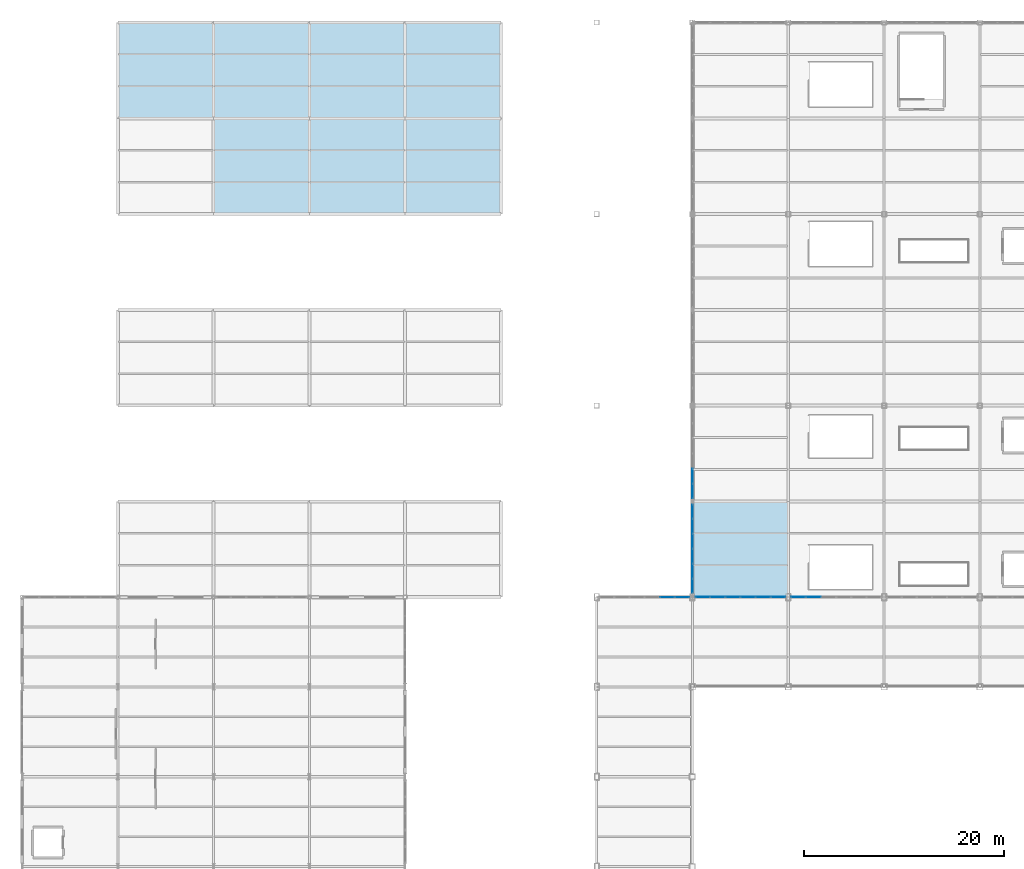
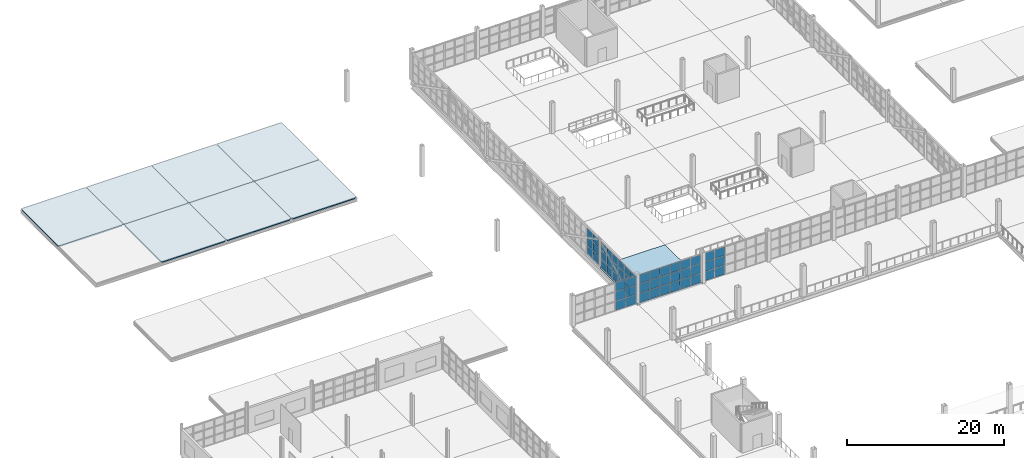
# One storey, part 82 of 120: 54 plates, 8 slabs, 5 elements without a shape of their own.
"""IFC4 building model written with IfcOpenShell, lengths in metres."""

from ifc_helpers import new_model, si_unit, direction, frame, origin, origin_2d, place, context, subcontext, project, spatial, polyline, rectangle, outline, extrude, material, layer, layer_set, type_object, element, aggregate, save


model = new_model("IFC4")

# Units and contexts
model_context = context("Model", 3, precision=1e-05, world=origin(), true_north=direction((0.0, 1.0)))
body_context = subcontext(model_context, "Body", "Model", "MODEL_VIEW")
ifc_project = project(units=[si_unit("LENGTHUNIT", "METRE"), si_unit("AREAUNIT", "SQUARE_METRE"), si_unit("VOLUMEUNIT", "CUBIC_METRE"), si_unit("PLANEANGLEUNIT", "RADIAN"), si_unit("MASSUNIT", "GRAM", prefix="KILO")], contexts=[model_context])

# Site, building, storey
site_placement = place(None, origin())
site = spatial("IfcSite", under=ifc_project, at=site_placement, CompositionType="ELEMENT")
building_placement = place(site_placement, origin())
building = spatial("IfcBuilding", under=site, at=building_placement, Name="Zarnetskaya Central Station", CompositionType="ELEMENT")
storey_placement = place(building_placement, frame((0.0, 0.0, 5.39990234375)))
storey = spatial("IfcBuildingStorey", under=building, at=storey_placement, Name="L01", CompositionType="ELEMENT", Elevation=5.39990234375)

# Curtain wall, plates
ifc_material_1 = material(Name="Low-E insulated glass", Category="glass")
ifc_layer_1 = layer(ifc_material_1, 0.159912109375, Name="Low-E insulated glass", Category="glass")
ifc_layer_set_1 = layer_set([ifc_layer_1], Name="Low-E insulated glass")
curtain_wall_type_1 = type_object("IfcCurtainWallType", Name="CW-SYS-11", PredefinedType="USERDEFINED", material=ifc_layer_set_1)
curtain_wall_1_placement = place(storey_placement, origin())
curtain_wall_1 = element("IfcCurtainWall", 1, at=curtain_wall_1_placement, inside=storey, type_object=curtain_wall_type_1, Name="Curtain wall CW-L01-075", ObjectType="CURTAIN WALL", PredefinedType="USERDEFINED")
ifc_layer_2 = layer(ifc_material_1, 0.028076171875, Name="Low-E insulated glass", Category="glass")
ifc_layer_set_2 = layer_set([ifc_layer_2], Name="Low-E insulated glass")
plate_type_1 = type_object("IfcPlateType", Name="CW-PAN-28", PredefinedType="CURTAIN_PANEL", material=ifc_layer_set_2)
plate_1_placement = place(storey_placement, frame((64.675048828125, 67.199951171875, 0.0703125), z_axis=(0.0, 0.0, 1.0), x_axis=(1.0, 0.0, 0.0)))
plate_1 = element("IfcPlate", 2, at=plate_1_placement, type_object=plate_type_1, Name="CW-09 panel 5.1", PredefinedType="CURTAIN_PANEL", context=body_context, shape_type="SweptSolid", body=[
    extrude(rectangle(XDim=1.44677734375, YDim=0.028076171875, at=origin_2d()), origin(), (0.0, 0.0, 1.0), 1.407958984375),
])
plate_2_placement = place(storey_placement, frame((64.675048828125, 67.199951171875, 1.5478515625), z_axis=(0.0, 0.0, 1.0), x_axis=(1.0, 0.0, 0.0)))
plate_2 = element("IfcPlate", 3, at=plate_2_placement, type_object=plate_type_1, Name="CW-09 panel 5.2", PredefinedType="CURTAIN_PANEL", context=body_context, shape_type="SweptSolid", body=[
    extrude(rectangle(XDim=1.44677734375, YDim=0.028076171875, at=origin_2d()), origin(), (0.0, 0.0, 1.0), 1.443115234375),
])
plate_3_placement = place(storey_placement, frame((64.675048828125, 67.199951171875, 3.06103515625), z_axis=(0.0, 0.0, 1.0), x_axis=(1.0, 0.0, 0.0)))
plate_3 = element("IfcPlate", 4, at=plate_3_placement, type_object=plate_type_1, Name="CW-09 panel 5.3", PredefinedType="CURTAIN_PANEL", context=body_context, shape_type="SweptSolid", body=[
    extrude(rectangle(XDim=1.44677734375, YDim=0.028076171875, at=origin_2d()), origin(), (0.0, 0.0, 1.0), 1.319091796875),
])
plate_4_placement = place(storey_placement, frame((66.174072265625, 67.199951171875, 0.0703125), z_axis=(0.0, 0.0, 1.0), x_axis=(1.0, 0.0, 0.0)))
plate_4 = element("IfcPlate", 5, at=plate_4_placement, type_object=plate_type_1, Name="CW-09 panel 6.1", PredefinedType="CURTAIN_PANEL", context=body_context, shape_type="SweptSolid", body=[
    extrude(rectangle(XDim=1.41162109375, YDim=0.028076171875, at=origin_2d()), origin(), (0.0, 0.0, 1.0), 1.407958984375),
])
plate_5_placement = place(storey_placement, frame((66.174072265625, 67.199951171875, 1.5478515625), z_axis=(0.0, 0.0, 1.0), x_axis=(1.0, 0.0, 0.0)))
plate_5 = element("IfcPlate", 6, at=plate_5_placement, type_object=plate_type_1, Name="CW-09 panel 6.2", PredefinedType="CURTAIN_PANEL", context=body_context, shape_type="SweptSolid", body=[
    extrude(rectangle(XDim=1.41162109375, YDim=0.028076171875, at=origin_2d()), origin(), (0.0, 0.0, 1.0), 1.443115234375),
])
plate_6_placement = place(storey_placement, frame((66.174072265625, 67.199951171875, 3.06103515625), z_axis=(0.0, 0.0, 1.0), x_axis=(1.0, 0.0, 0.0)))
plate_6 = element("IfcPlate", 7, at=plate_6_placement, type_object=plate_type_1, Name="CW-09 panel 6.3", PredefinedType="CURTAIN_PANEL", context=body_context, shape_type="SweptSolid", body=[
    extrude(rectangle(XDim=1.41162109375, YDim=0.028076171875, at=origin_2d()), origin(), (0.0, 0.0, 1.0), 1.319091796875),
])
aggregate(curtain_wall_1, [plate_1, plate_2, plate_3, plate_4, plate_5, plate_6])

ifc_layer_3 = layer(ifc_material_1, 0.172119140625, Name="Low-E insulated glass", Category="glass")
ifc_layer_set_3 = layer_set([ifc_layer_3], Name="Low-E insulated glass")
curtain_wall_type_2 = type_object("IfcCurtainWallType", Name="CW-SYS-09", PredefinedType="USERDEFINED", material=ifc_layer_set_3)
curtain_wall_2_placement = place(storey_placement, origin())
curtain_wall_2 = element("IfcCurtainWall", 8, at=curtain_wall_2_placement, inside=storey, type_object=curtain_wall_type_2, Name="Curtain wall CW-L01-146", ObjectType="CURTAIN WALL", PredefinedType="USERDEFINED")
ifc_layer_4 = layer(ifc_material_1, 0.031982421875, Name="Low-E insulated glass", Category="glass")
ifc_layer_set_4 = layer_set([ifc_layer_4], Name="Low-E insulated glass")
plate_type_2 = type_object("IfcPlateType", Name="CW-PAN-32", PredefinedType="CURTAIN_PANEL", material=ifc_layer_set_4)
plate_7_placement = place(storey_placement, frame((67.199951171875, 68.320068359375, 0.080078125), z_axis=(0.0, 0.0, 1.0), x_axis=(0.0, 1.0, 0.0)))
plate_7 = element("IfcPlate", 9, at=plate_7_placement, type_object=plate_type_2, Name="CW-07 panel 1.1", PredefinedType="CURTAIN_PANEL", context=body_context, shape_type="SweptSolid", body=[
    extrude(rectangle(XDim=1.3798828125, YDim=0.031982421875, at=origin_2d()), origin(), (0.0, 0.0, 1.0), 1.27392578125),
])
plate_8_placement = place(storey_placement, frame((67.199951171875, 68.320068359375, 1.43408203125), z_axis=(0.0, 0.0, 1.0), x_axis=(0.0, 1.0, 0.0)))
plate_8 = element("IfcPlate", 10, at=plate_8_placement, type_object=plate_type_2, Name="CW-07 panel 1.2", PredefinedType="CURTAIN_PANEL", context=body_context, shape_type="SweptSolid", body=[
    extrude(rectangle(XDim=1.3798828125, YDim=0.031982421875, at=origin_2d()), origin(), (0.0, 0.0, 1.0), 1.31396484375),
])
plate_9_placement = place(storey_placement, frame((67.199951171875, 68.320068359375, 2.828125), z_axis=(0.0, 0.0, 1.0), x_axis=(0.0, 1.0, 0.0)))
plate_9 = element("IfcPlate", 11, at=plate_9_placement, type_object=plate_type_2, Name="CW-07 panel 1.3", PredefinedType="CURTAIN_PANEL", context=body_context, shape_type="SweptSolid", body=[
    extrude(rectangle(XDim=1.3798828125, YDim=0.031982421875, at=origin_2d()), origin(), (0.0, 0.0, 1.0), 1.19189453125),
])
plate_10_placement = place(storey_placement, frame((67.199951171875, 69.800048828125, 0.080078125), z_axis=(0.0, 0.0, 1.0), x_axis=(0.0, 1.0, 0.0)))
plate_10 = element("IfcPlate", 12, at=plate_10_placement, type_object=plate_type_2, Name="CW-07 panel 2.1", PredefinedType="CURTAIN_PANEL", context=body_context, shape_type="SweptSolid", body=[
    extrude(rectangle(XDim=1.419921875, YDim=0.031982421875, at=origin_2d()), origin(), (0.0, 0.0, 1.0), 1.27392578125),
])
plate_11_placement = place(storey_placement, frame((67.199951171875, 69.800048828125, 1.43408203125), z_axis=(0.0, 0.0, 1.0), x_axis=(0.0, 1.0, 0.0)))
plate_11 = element("IfcPlate", 13, at=plate_11_placement, type_object=plate_type_2, Name="CW-07 panel 2.2", PredefinedType="CURTAIN_PANEL", context=body_context, shape_type="SweptSolid", body=[
    extrude(rectangle(XDim=1.419921875, YDim=0.031982421875, at=origin_2d()), origin(), (0.0, 0.0, 1.0), 1.31396484375),
])
plate_12_placement = place(storey_placement, frame((67.199951171875, 69.800048828125, 2.828125), z_axis=(0.0, 0.0, 1.0), x_axis=(0.0, 1.0, 0.0)))
plate_12 = element("IfcPlate", 14, at=plate_12_placement, type_object=plate_type_2, Name="CW-07 panel 2.3", PredefinedType="CURTAIN_PANEL", context=body_context, shape_type="SweptSolid", body=[
    extrude(rectangle(XDim=1.419921875, YDim=0.031982421875, at=origin_2d()), origin(), (0.0, 0.0, 1.0), 1.19189453125),
])
plate_13_placement = place(storey_placement, frame((67.199951171875, 71.300048828125, 0.080078125), z_axis=(0.0, 0.0, 1.0), x_axis=(0.0, 1.0, 0.0)))
plate_13 = element("IfcPlate", 15, at=plate_13_placement, type_object=plate_type_2, Name="CW-07 panel 3.1", PredefinedType="CURTAIN_PANEL", context=body_context, shape_type="SweptSolid", body=[
    extrude(rectangle(XDim=1.419921875, YDim=0.031982421875, at=origin_2d()), origin(), (0.0, 0.0, 1.0), 1.27392578125),
])
plate_14_placement = place(storey_placement, frame((67.199951171875, 71.300048828125, 1.43408203125), z_axis=(0.0, 0.0, 1.0), x_axis=(0.0, 1.0, 0.0)))
plate_14 = element("IfcPlate", 16, at=plate_14_placement, type_object=plate_type_2, Name="CW-07 panel 3.2", PredefinedType="CURTAIN_PANEL", context=body_context, shape_type="SweptSolid", body=[
    extrude(rectangle(XDim=1.419921875, YDim=0.031982421875, at=origin_2d()), origin(), (0.0, 0.0, 1.0), 1.31396484375),
])
plate_15_placement = place(storey_placement, frame((67.199951171875, 71.300048828125, 2.828125), z_axis=(0.0, 0.0, 1.0), x_axis=(0.0, 1.0, 0.0)))
plate_15 = element("IfcPlate", 17, at=plate_15_placement, type_object=plate_type_2, Name="CW-07 panel 3.3", PredefinedType="CURTAIN_PANEL", context=body_context, shape_type="SweptSolid", body=[
    extrude(rectangle(XDim=1.419921875, YDim=0.031982421875, at=origin_2d()), origin(), (0.0, 0.0, 1.0), 1.19189453125),
])
plate_16_placement = place(storey_placement, frame((67.199951171875, 72.800048828125, 0.080078125), z_axis=(0.0, 0.0, 1.0), x_axis=(0.0, 1.0, 0.0)))
plate_16 = element("IfcPlate", 18, at=plate_16_placement, type_object=plate_type_2, Name="CW-07 panel 4.1", PredefinedType="CURTAIN_PANEL", context=body_context, shape_type="SweptSolid", body=[
    extrude(rectangle(XDim=1.419921875, YDim=0.031982421875, at=origin_2d()), origin(), (0.0, 0.0, 1.0), 1.27392578125),
])
plate_17_placement = place(storey_placement, frame((67.199951171875, 72.800048828125, 1.43408203125), z_axis=(0.0, 0.0, 1.0), x_axis=(0.0, 1.0, 0.0)))
plate_17 = element("IfcPlate", 19, at=plate_17_placement, type_object=plate_type_2, Name="CW-07 panel 4.2", PredefinedType="CURTAIN_PANEL", context=body_context, shape_type="SweptSolid", body=[
    extrude(rectangle(XDim=1.419921875, YDim=0.031982421875, at=origin_2d()), origin(), (0.0, 0.0, 1.0), 1.31396484375),
])
plate_18_placement = place(storey_placement, frame((67.199951171875, 72.800048828125, 2.828125), z_axis=(0.0, 0.0, 1.0), x_axis=(0.0, 1.0, 0.0)))
plate_18 = element("IfcPlate", 20, at=plate_18_placement, type_object=plate_type_2, Name="CW-07 panel 4.3", PredefinedType="CURTAIN_PANEL", context=body_context, shape_type="SweptSolid", body=[
    extrude(rectangle(XDim=1.419921875, YDim=0.031982421875, at=origin_2d()), origin(), (0.0, 0.0, 1.0), 1.19189453125),
])
plate_19_placement = place(storey_placement, frame((67.199951171875, 74.300048828125, 0.080078125), z_axis=(0.0, 0.0, 1.0), x_axis=(0.0, 1.0, 0.0)))
plate_19 = element("IfcPlate", 21, at=plate_19_placement, type_object=plate_type_2, Name="CW-07 panel 5.1", PredefinedType="CURTAIN_PANEL", context=body_context, shape_type="SweptSolid", body=[
    extrude(rectangle(XDim=1.419921875, YDim=0.031982421875, at=origin_2d()), origin(), (0.0, 0.0, 1.0), 1.27392578125),
])
plate_20_placement = place(storey_placement, frame((67.199951171875, 74.300048828125, 1.43408203125), z_axis=(0.0, 0.0, 1.0), x_axis=(0.0, 1.0, 0.0)))
plate_20 = element("IfcPlate", 22, at=plate_20_placement, type_object=plate_type_2, Name="CW-07 panel 5.2", PredefinedType="CURTAIN_PANEL", context=body_context, shape_type="SweptSolid", body=[
    extrude(rectangle(XDim=1.419921875, YDim=0.031982421875, at=origin_2d()), origin(), (0.0, 0.0, 1.0), 1.31396484375),
])
plate_21_placement = place(storey_placement, frame((67.199951171875, 74.300048828125, 2.828125), z_axis=(0.0, 0.0, 1.0), x_axis=(0.0, 1.0, 0.0)))
plate_21 = element("IfcPlate", 23, at=plate_21_placement, type_object=plate_type_2, Name="CW-07 panel 5.3", PredefinedType="CURTAIN_PANEL", context=body_context, shape_type="SweptSolid", body=[
    extrude(rectangle(XDim=1.419921875, YDim=0.031982421875, at=origin_2d()), origin(), (0.0, 0.0, 1.0), 1.19189453125),
])
plate_22_placement = place(storey_placement, frame((67.199951171875, 75.780029296875, 0.080078125), z_axis=(0.0, 0.0, 1.0), x_axis=(0.0, 1.0, 0.0)))
plate_22 = element("IfcPlate", 24, at=plate_22_placement, type_object=plate_type_2, Name="CW-07 panel 6.1", PredefinedType="CURTAIN_PANEL", context=body_context, shape_type="SweptSolid", body=[
    extrude(rectangle(XDim=1.3798828125, YDim=0.031982421875, at=origin_2d()), origin(), (0.0, 0.0, 1.0), 1.27392578125),
])
plate_23_placement = place(storey_placement, frame((67.199951171875, 75.780029296875, 1.43408203125), z_axis=(0.0, 0.0, 1.0), x_axis=(0.0, 1.0, 0.0)))
plate_23 = element("IfcPlate", 25, at=plate_23_placement, type_object=plate_type_2, Name="CW-07 panel 6.2", PredefinedType="CURTAIN_PANEL", context=body_context, shape_type="SweptSolid", body=[
    extrude(rectangle(XDim=1.3798828125, YDim=0.031982421875, at=origin_2d()), origin(), (0.0, 0.0, 1.0), 1.31396484375),
])
plate_24_placement = place(storey_placement, frame((67.199951171875, 75.780029296875, 2.828125), z_axis=(0.0, 0.0, 1.0), x_axis=(0.0, 1.0, 0.0)))
plate_24 = element("IfcPlate", 26, at=plate_24_placement, type_object=plate_type_2, Name="CW-07 panel 6.3", PredefinedType="CURTAIN_PANEL", context=body_context, shape_type="SweptSolid", body=[
    extrude(rectangle(XDim=1.3798828125, YDim=0.031982421875, at=origin_2d()), origin(), (0.0, 0.0, 1.0), 1.19189453125),
])
aggregate(curtain_wall_2, [plate_7, plate_8, plate_9, plate_10, plate_11, plate_12, plate_13, plate_14, plate_15, plate_16, plate_17, plate_18, plate_19, plate_20, plate_21, plate_22, plate_23, plate_24])

ifc_layer_5 = layer(ifc_material_1, 0.1640625, Name="Low-E insulated glass", Category="glass")
ifc_layer_set_5 = layer_set([ifc_layer_5], Name="Low-E insulated glass")
curtain_wall_type_3 = type_object("IfcCurtainWallType", Name="CW-SYS-12", PredefinedType="USERDEFINED", material=ifc_layer_set_5)
curtain_wall_3_placement = place(storey_placement, origin())
curtain_wall_3 = element("IfcCurtainWall", 27, at=curtain_wall_3_placement, inside=storey, type_object=curtain_wall_type_3, Name="Curtain wall CW-L01-077", ObjectType="CURTAIN WALL", PredefinedType="USERDEFINED")
ifc_layer_6 = layer(ifc_material_1, 0.035888671875, Name="Low-E insulated glass", Category="glass")
ifc_layer_set_6 = layer_set([ifc_layer_6], Name="Low-E insulated glass")
plate_type_3 = type_object("IfcPlateType", Name="CW-PAN-36", PredefinedType="CURTAIN_PANEL", material=ifc_layer_set_6)
plate_25_placement = place(storey_placement, frame((68.225830078125, 67.199951171875, 0.0703125), z_axis=(0.0, 0.0, 1.0), x_axis=(1.0, 0.0, 0.0)))
plate_25 = element("IfcPlate", 28, at=plate_25_placement, type_object=plate_type_3, Name="CW-18 panel 1.1", PredefinedType="CURTAIN_PANEL", context=body_context, shape_type="SweptSolid", body=[
    extrude(rectangle(XDim=1.41162109375, YDim=0.035888671875, at=origin_2d()), origin(), (0.0, 0.0, 1.0), 1.407958984375),
])
plate_26_placement = place(storey_placement, frame((68.225830078125, 67.199951171875, 1.5478515625), z_axis=(0.0, 0.0, 1.0), x_axis=(1.0, 0.0, 0.0)))
plate_26 = element("IfcPlate", 29, at=plate_26_placement, type_object=plate_type_3, Name="CW-18 panel 1.2", PredefinedType="CURTAIN_PANEL", context=body_context, shape_type="SweptSolid", body=[
    extrude(rectangle(XDim=1.41162109375, YDim=0.035888671875, at=origin_2d()), origin(), (0.0, 0.0, 1.0), 1.443115234375),
])
plate_27_placement = place(storey_placement, frame((68.225830078125, 67.199951171875, 3.06103515625), z_axis=(0.0, 0.0, 1.0), x_axis=(1.0, 0.0, 0.0)))
plate_27 = element("IfcPlate", 30, at=plate_27_placement, type_object=plate_type_3, Name="CW-18 panel 1.3", PredefinedType="CURTAIN_PANEL", context=body_context, shape_type="SweptSolid", body=[
    extrude(rectangle(XDim=1.41162109375, YDim=0.035888671875, at=origin_2d()), origin(), (0.0, 0.0, 1.0), 1.319091796875),
])
plate_28_placement = place(storey_placement, frame((69.72509765625, 67.199951171875, 0.0703125), z_axis=(0.0, 0.0, 1.0), x_axis=(1.0, 0.0, 0.0)))
plate_28 = element("IfcPlate", 31, at=plate_28_placement, type_object=plate_type_3, Name="CW-18 panel 2.1", PredefinedType="CURTAIN_PANEL", context=body_context, shape_type="SweptSolid", body=[
    extrude(rectangle(XDim=1.44677734375, YDim=0.035888671875, at=origin_2d()), origin(), (0.0, 0.0, 1.0), 1.407958984375),
])
plate_29_placement = place(storey_placement, frame((69.72509765625, 67.199951171875, 1.5478515625), z_axis=(0.0, 0.0, 1.0), x_axis=(1.0, 0.0, 0.0)))
plate_29 = element("IfcPlate", 32, at=plate_29_placement, type_object=plate_type_3, Name="CW-18 panel 2.2", PredefinedType="CURTAIN_PANEL", context=body_context, shape_type="SweptSolid", body=[
    extrude(rectangle(XDim=1.44677734375, YDim=0.035888671875, at=origin_2d()), origin(), (0.0, 0.0, 1.0), 1.443115234375),
])
plate_30_placement = place(storey_placement, frame((69.72509765625, 67.199951171875, 3.06103515625), z_axis=(0.0, 0.0, 1.0), x_axis=(1.0, 0.0, 0.0)))
plate_30 = element("IfcPlate", 33, at=plate_30_placement, type_object=plate_type_3, Name="CW-18 panel 2.3", PredefinedType="CURTAIN_PANEL", context=body_context, shape_type="SweptSolid", body=[
    extrude(rectangle(XDim=1.44677734375, YDim=0.035888671875, at=origin_2d()), origin(), (0.0, 0.0, 1.0), 1.319091796875),
])
plate_31_placement = place(storey_placement, frame((71.24169921875, 67.199951171875, 0.0703125), z_axis=(0.0, 0.0, 1.0), x_axis=(1.0, 0.0, 0.0)))
plate_31 = element("IfcPlate", 34, at=plate_31_placement, type_object=plate_type_3, Name="CW-18 panel 3.1", PredefinedType="CURTAIN_PANEL", context=body_context, shape_type="SweptSolid", body=[
    extrude(rectangle(XDim=1.44677734375, YDim=0.035888671875, at=origin_2d()), origin(), (0.0, 0.0, 1.0), 1.407958984375),
])
plate_32_placement = place(storey_placement, frame((71.24169921875, 67.199951171875, 1.5478515625), z_axis=(0.0, 0.0, 1.0), x_axis=(1.0, 0.0, 0.0)))
plate_32 = element("IfcPlate", 35, at=plate_32_placement, type_object=plate_type_3, Name="CW-18 panel 3.2", PredefinedType="CURTAIN_PANEL", context=body_context, shape_type="SweptSolid", body=[
    extrude(rectangle(XDim=1.44677734375, YDim=0.035888671875, at=origin_2d()), origin(), (0.0, 0.0, 1.0), 1.443115234375),
])
plate_33_placement = place(storey_placement, frame((71.24169921875, 67.199951171875, 3.06103515625), z_axis=(0.0, 0.0, 1.0), x_axis=(1.0, 0.0, 0.0)))
plate_33 = element("IfcPlate", 36, at=plate_33_placement, type_object=plate_type_3, Name="CW-18 panel 3.3", PredefinedType="CURTAIN_PANEL", context=body_context, shape_type="SweptSolid", body=[
    extrude(rectangle(XDim=1.44677734375, YDim=0.035888671875, at=origin_2d()), origin(), (0.0, 0.0, 1.0), 1.319091796875),
])
plate_34_placement = place(storey_placement, frame((72.75830078125, 67.199951171875, 0.0703125), z_axis=(0.0, 0.0, 1.0), x_axis=(1.0, 0.0, 0.0)))
plate_34 = element("IfcPlate", 37, at=plate_34_placement, type_object=plate_type_3, Name="CW-18 panel 4.1", PredefinedType="CURTAIN_PANEL", context=body_context, shape_type="SweptSolid", body=[
    extrude(rectangle(XDim=1.44677734375, YDim=0.035888671875, at=origin_2d()), origin(), (0.0, 0.0, 1.0), 1.407958984375),
])
plate_35_placement = place(storey_placement, frame((72.75830078125, 67.199951171875, 1.5478515625), z_axis=(0.0, 0.0, 1.0), x_axis=(1.0, 0.0, 0.0)))
plate_35 = element("IfcPlate", 38, at=plate_35_placement, type_object=plate_type_3, Name="CW-18 panel 4.2", PredefinedType="CURTAIN_PANEL", context=body_context, shape_type="SweptSolid", body=[
    extrude(rectangle(XDim=1.44677734375, YDim=0.035888671875, at=origin_2d()), origin(), (0.0, 0.0, 1.0), 1.443115234375),
])
plate_36_placement = place(storey_placement, frame((72.75830078125, 67.199951171875, 3.06103515625), z_axis=(0.0, 0.0, 1.0), x_axis=(1.0, 0.0, 0.0)))
plate_36 = element("IfcPlate", 39, at=plate_36_placement, type_object=plate_type_3, Name="CW-18 panel 4.3", PredefinedType="CURTAIN_PANEL", context=body_context, shape_type="SweptSolid", body=[
    extrude(rectangle(XDim=1.44677734375, YDim=0.035888671875, at=origin_2d()), origin(), (0.0, 0.0, 1.0), 1.319091796875),
])
plate_37_placement = place(storey_placement, frame((74.27490234375, 67.199951171875, 0.0703125), z_axis=(0.0, 0.0, 1.0), x_axis=(1.0, 0.0, 0.0)))
plate_37 = element("IfcPlate", 40, at=plate_37_placement, type_object=plate_type_3, Name="CW-18 panel 5.1", PredefinedType="CURTAIN_PANEL", context=body_context, shape_type="SweptSolid", body=[
    extrude(rectangle(XDim=1.44677734375, YDim=0.035888671875, at=origin_2d()), origin(), (0.0, 0.0, 1.0), 1.407958984375),
])
plate_38_placement = place(storey_placement, frame((74.27490234375, 67.199951171875, 1.5478515625), z_axis=(0.0, 0.0, 1.0), x_axis=(1.0, 0.0, 0.0)))
plate_38 = element("IfcPlate", 41, at=plate_38_placement, type_object=plate_type_3, Name="CW-18 panel 5.2", PredefinedType="CURTAIN_PANEL", context=body_context, shape_type="SweptSolid", body=[
    extrude(rectangle(XDim=1.44677734375, YDim=0.035888671875, at=origin_2d()), origin(), (0.0, 0.0, 1.0), 1.443115234375),
])
plate_39_placement = place(storey_placement, frame((74.27490234375, 67.199951171875, 3.06103515625), z_axis=(0.0, 0.0, 1.0), x_axis=(1.0, 0.0, 0.0)))
plate_39 = element("IfcPlate", 42, at=plate_39_placement, type_object=plate_type_3, Name="CW-18 panel 5.3", PredefinedType="CURTAIN_PANEL", context=body_context, shape_type="SweptSolid", body=[
    extrude(rectangle(XDim=1.44677734375, YDim=0.035888671875, at=origin_2d()), origin(), (0.0, 0.0, 1.0), 1.319091796875),
])
plate_40_placement = place(storey_placement, frame((75.774169921875, 67.199951171875, 0.0703125), z_axis=(0.0, 0.0, 1.0), x_axis=(1.0, 0.0, 0.0)))
plate_40 = element("IfcPlate", 43, at=plate_40_placement, type_object=plate_type_3, Name="CW-18 panel 6.1", PredefinedType="CURTAIN_PANEL", context=body_context, shape_type="SweptSolid", body=[
    extrude(rectangle(XDim=1.41162109375, YDim=0.035888671875, at=origin_2d()), origin(), (0.0, 0.0, 1.0), 1.407958984375),
])
plate_41_placement = place(storey_placement, frame((75.774169921875, 67.199951171875, 1.5478515625), z_axis=(0.0, 0.0, 1.0), x_axis=(1.0, 0.0, 0.0)))
plate_41 = element("IfcPlate", 44, at=plate_41_placement, type_object=plate_type_3, Name="CW-18 panel 6.2", PredefinedType="CURTAIN_PANEL", context=body_context, shape_type="SweptSolid", body=[
    extrude(rectangle(XDim=1.41162109375, YDim=0.035888671875, at=origin_2d()), origin(), (0.0, 0.0, 1.0), 1.443115234375),
])
plate_42_placement = place(storey_placement, frame((75.774169921875, 67.199951171875, 3.06103515625), z_axis=(0.0, 0.0, 1.0), x_axis=(1.0, 0.0, 0.0)))
plate_42 = element("IfcPlate", 45, at=plate_42_placement, type_object=plate_type_3, Name="CW-18 panel 6.3", PredefinedType="CURTAIN_PANEL", context=body_context, shape_type="SweptSolid", body=[
    extrude(rectangle(XDim=1.41162109375, YDim=0.035888671875, at=origin_2d()), origin(), (0.0, 0.0, 1.0), 1.319091796875),
])
aggregate(curtain_wall_3, [plate_25, plate_26, plate_27, plate_28, plate_29, plate_30, plate_31, plate_32, plate_33, plate_34, plate_35, plate_36, plate_37, plate_38, plate_39, plate_40, plate_41, plate_42])

curtain_wall_4_placement = place(storey_placement, origin())
curtain_wall_4 = element("IfcCurtainWall", 46, at=curtain_wall_4_placement, inside=storey, type_object=curtain_wall_type_2, Name="Curtain wall CW-L01-147", ObjectType="CURTAIN WALL", PredefinedType="USERDEFINED")
plate_43_placement = place(storey_placement, frame((67.199951171875, 77.825927734375, 0.070068359375), z_axis=(0.0, 0.0, 1.0), x_axis=(0.0, 1.0, 0.0)))
plate_43 = element("IfcPlate", 47, at=plate_43_placement, type_object=plate_type_3, Name="CW-07 panel 1.1", PredefinedType="CURTAIN_PANEL", context=body_context, shape_type="SweptSolid", body=[
    extrude(rectangle(XDim=1.41162109375, YDim=0.035888671875, at=origin_2d()), origin(), (0.0, 0.0, 1.0), 1.2890625),
])
plate_44_placement = place(storey_placement, frame((67.199951171875, 77.825927734375, 1.42919921875), z_axis=(0.0, 0.0, 1.0), x_axis=(0.0, 1.0, 0.0)))
plate_44 = element("IfcPlate", 48, at=plate_44_placement, type_object=plate_type_3, Name="CW-07 panel 1.2", PredefinedType="CURTAIN_PANEL", context=body_context, shape_type="SweptSolid", body=[
    extrude(rectangle(XDim=1.41162109375, YDim=0.035888671875, at=origin_2d()), origin(), (0.0, 0.0, 1.0), 1.323974609375),
])
plate_45_placement = place(storey_placement, frame((67.199951171875, 77.825927734375, 2.822998046875), z_axis=(0.0, 0.0, 1.0), x_axis=(0.0, 1.0, 0.0)))
plate_45 = element("IfcPlate", 49, at=plate_45_placement, type_object=plate_type_3, Name="CW-07 panel 1.3", PredefinedType="CURTAIN_PANEL", context=body_context, shape_type="SweptSolid", body=[
    extrude(rectangle(XDim=1.41162109375, YDim=0.035888671875, at=origin_2d()), origin(), (0.0, 0.0, 1.0), 1.20703125),
])
plate_46_placement = place(storey_placement, frame((67.199951171875, 79.324951171875, 0.070068359375), z_axis=(0.0, 0.0, 1.0), x_axis=(0.0, 1.0, 0.0)))
plate_46 = element("IfcPlate", 50, at=plate_46_placement, type_object=plate_type_3, Name="CW-07 panel 2.1", PredefinedType="CURTAIN_PANEL", context=body_context, shape_type="SweptSolid", body=[
    extrude(rectangle(XDim=1.44677734375, YDim=0.035888671875, at=origin_2d()), origin(), (0.0, 0.0, 1.0), 1.2890625),
])
plate_47_placement = place(storey_placement, frame((67.199951171875, 79.324951171875, 1.42919921875), z_axis=(0.0, 0.0, 1.0), x_axis=(0.0, 1.0, 0.0)))
plate_47 = element("IfcPlate", 51, at=plate_47_placement, type_object=plate_type_3, Name="CW-07 panel 2.2", PredefinedType="CURTAIN_PANEL", context=body_context, shape_type="SweptSolid", body=[
    extrude(rectangle(XDim=1.44677734375, YDim=0.035888671875, at=origin_2d()), origin(), (0.0, 0.0, 1.0), 1.323974609375),
])
plate_48_placement = place(storey_placement, frame((67.199951171875, 79.324951171875, 2.822998046875), z_axis=(0.0, 0.0, 1.0), x_axis=(0.0, 1.0, 0.0)))
plate_48 = element("IfcPlate", 52, at=plate_48_placement, type_object=plate_type_3, Name="CW-07 panel 2.3", PredefinedType="CURTAIN_PANEL", context=body_context, shape_type="SweptSolid", body=[
    extrude(rectangle(XDim=1.44677734375, YDim=0.035888671875, at=origin_2d()), origin(), (0.0, 0.0, 1.0), 1.20703125),
])
aggregate(curtain_wall_4, [plate_43, plate_44, plate_45, plate_46, plate_47, plate_48])

ifc_layer_7 = layer(ifc_material_1, 0.16796875, Name="Low-E insulated glass", Category="glass")
ifc_layer_set_7 = layer_set([ifc_layer_7], Name="Low-E insulated glass")
curtain_wall_type_4 = type_object("IfcCurtainWallType", Name="CW-SYS-13", PredefinedType="USERDEFINED", material=ifc_layer_set_7)
curtain_wall_5_placement = place(storey_placement, origin())
curtain_wall_5 = element("IfcCurtainWall", 53, at=curtain_wall_5_placement, inside=storey, type_object=curtain_wall_type_4, Name="Curtain wall CW-L01-079", ObjectType="CURTAIN WALL", PredefinedType="USERDEFINED")
ifc_layer_8 = layer(ifc_material_1, 0.0439453125, Name="Low-E insulated glass", Category="glass")
ifc_layer_set_8 = layer_set([ifc_layer_8], Name="Low-E insulated glass")
plate_type_4 = type_object("IfcPlateType", Name="CW-PAN-44", PredefinedType="CURTAIN_PANEL", material=ifc_layer_set_8)
plate_49_placement = place(storey_placement, frame((77.825927734375, 67.199951171875, 0.0703125), z_axis=(0.0, 0.0, 1.0), x_axis=(1.0, 0.0, 0.0)))
plate_49 = element("IfcPlate", 54, at=plate_49_placement, type_object=plate_type_4, Name="CW-04 panel 1.1", PredefinedType="CURTAIN_PANEL", context=body_context, shape_type="SweptSolid", body=[
    extrude(rectangle(XDim=1.41162109375, YDim=0.0439453125, at=origin_2d()), origin(), (0.0, 0.0, 1.0), 1.407958984375),
])
plate_50_placement = place(storey_placement, frame((77.825927734375, 67.199951171875, 1.5478515625), z_axis=(0.0, 0.0, 1.0), x_axis=(1.0, 0.0, 0.0)))
plate_50 = element("IfcPlate", 55, at=plate_50_placement, type_object=plate_type_4, Name="CW-04 panel 1.2", PredefinedType="CURTAIN_PANEL", context=body_context, shape_type="SweptSolid", body=[
    extrude(rectangle(XDim=1.41162109375, YDim=0.0439453125, at=origin_2d()), origin(), (0.0, 0.0, 1.0), 1.443115234375),
])
plate_51_placement = place(storey_placement, frame((77.825927734375, 67.199951171875, 3.06103515625), z_axis=(0.0, 0.0, 1.0), x_axis=(1.0, 0.0, 0.0)))
plate_51 = element("IfcPlate", 56, at=plate_51_placement, type_object=plate_type_4, Name="CW-04 panel 1.3", PredefinedType="CURTAIN_PANEL", context=body_context, shape_type="SweptSolid", body=[
    extrude(rectangle(XDim=1.41162109375, YDim=0.0439453125, at=origin_2d()), origin(), (0.0, 0.0, 1.0), 1.319091796875),
])
plate_52_placement = place(storey_placement, frame((79.324951171875, 67.199951171875, 0.0703125), z_axis=(0.0, 0.0, 1.0), x_axis=(1.0, 0.0, 0.0)))
plate_52 = element("IfcPlate", 57, at=plate_52_placement, type_object=plate_type_4, Name="CW-04 panel 2.1", PredefinedType="CURTAIN_PANEL", context=body_context, shape_type="SweptSolid", body=[
    extrude(rectangle(XDim=1.44677734375, YDim=0.0439453125, at=origin_2d()), origin(), (0.0, 0.0, 1.0), 1.407958984375),
])
plate_53_placement = place(storey_placement, frame((79.324951171875, 67.199951171875, 1.5478515625), z_axis=(0.0, 0.0, 1.0), x_axis=(1.0, 0.0, 0.0)))
plate_53 = element("IfcPlate", 58, at=plate_53_placement, type_object=plate_type_4, Name="CW-04 panel 2.2", PredefinedType="CURTAIN_PANEL", context=body_context, shape_type="SweptSolid", body=[
    extrude(rectangle(XDim=1.44677734375, YDim=0.0439453125, at=origin_2d()), origin(), (0.0, 0.0, 1.0), 1.443115234375),
])
plate_54_placement = place(storey_placement, frame((79.324951171875, 67.199951171875, 3.06103515625), z_axis=(0.0, 0.0, 1.0), x_axis=(1.0, 0.0, 0.0)))
plate_54 = element("IfcPlate", 59, at=plate_54_placement, type_object=plate_type_4, Name="CW-04 panel 2.3", PredefinedType="CURTAIN_PANEL", context=body_context, shape_type="SweptSolid", body=[
    extrude(rectangle(XDim=1.44677734375, YDim=0.0439453125, at=origin_2d()), origin(), (0.0, 0.0, 1.0), 1.319091796875),
])
aggregate(curtain_wall_5, [plate_49, plate_50, plate_51, plate_52, plate_53, plate_54])

# Slabs
ifc_material_2 = material(Name="Concrete C30/37", Category="concrete")
ifc_layer_9 = layer(ifc_material_2, 0.159912109375, Name="Concrete C30/37", Category="concrete")
ifc_layer_set_9 = layer_set([ifc_layer_9], Name="Concrete C30/37")
slab_type_1 = type_object("IfcSlabType", Name="ROOF-CANOPY-160", PredefinedType="ROOF", material=ifc_layer_set_9)
slab_1_placement = place(storey_placement, frame((0.0, 0.0, -0.159912109375)))
element("IfcSlab", 60, at=slab_1_placement, inside=storey, type_object=slab_type_1, Name="Platform canopy slab 14-15 B-C", PredefinedType="ROOF", context=body_context, shape_type="SweptSolid", body=[
    extrude(outline(polyline([(9.840087890625, 115.199951171875), (18.9599609375, 115.199951171875), (19.199951171875, 115.43994140625), (19.199951171875, 124.56005859375), (18.9599609375, 124.800048828125), (9.840087890625, 124.800048828125), (9.60009765625, 124.56005859375), (9.60009765625, 115.43994140625), (9.840087890625, 115.199951171875)])), origin(), (0.0, 0.0, 1.0), 0.159912109375),
])
slab_2_placement = place(storey_placement, frame((0.0, 0.0, -0.159912109375)))
element("IfcSlab", 61, at=slab_2_placement, inside=storey, type_object=slab_type_1, Name="Platform canopy slab 13-14 C-D", PredefinedType="ROOF", context=body_context, shape_type="SweptSolid", body=[
    extrude(outline(polyline([(19.43994140625, 105.60009765625), (28.56005859375, 105.60009765625), (28.800048828125, 105.840087890625), (28.800048828125, 114.9599609375), (28.56005859375, 115.199951171875), (19.43994140625, 115.199951171875), (19.199951171875, 114.9599609375), (19.199951171875, 105.840087890625), (19.43994140625, 105.60009765625)])), origin(), (0.0, 0.0, 1.0), 0.159912109375),
])
slab_3_placement = place(storey_placement, frame((0.0, 0.0, -0.159912109375)))
element("IfcSlab", 62, at=slab_3_placement, inside=storey, type_object=slab_type_1, Name="Platform canopy slab 14-15 C-D", PredefinedType="ROOF", context=body_context, shape_type="SweptSolid", body=[
    extrude(outline(polyline([(19.43994140625, 115.199951171875), (28.56005859375, 115.199951171875), (28.800048828125, 115.43994140625), (28.800048828125, 124.56005859375), (28.56005859375, 124.800048828125), (19.43994140625, 124.800048828125), (19.199951171875, 124.56005859375), (19.199951171875, 115.43994140625), (19.43994140625, 115.199951171875)])), origin(), (0.0, 0.0, 1.0), 0.159912109375),
])
slab_4_placement = place(storey_placement, frame((0.0, 0.0, -0.159912109375)))
element("IfcSlab", 63, at=slab_4_placement, inside=storey, type_object=slab_type_1, Name="Platform canopy slab 13-14 D-E", PredefinedType="ROOF", context=body_context, shape_type="SweptSolid", body=[
    extrude(outline(polyline([(29.0400390625, 105.60009765625), (38.159912109375, 105.60009765625), (38.39990234375, 105.840087890625), (38.39990234375, 114.9599609375), (38.159912109375, 115.199951171875), (29.0400390625, 115.199951171875), (28.800048828125, 114.9599609375), (28.800048828125, 105.840087890625), (29.0400390625, 105.60009765625)])), origin(), (0.0, 0.0, 1.0), 0.159912109375),
])
slab_5_placement = place(storey_placement, frame((0.0, 0.0, -0.159912109375)))
element("IfcSlab", 64, at=slab_5_placement, inside=storey, type_object=slab_type_1, Name="Platform canopy slab 14-15 D-E", PredefinedType="ROOF", context=body_context, shape_type="SweptSolid", body=[
    extrude(outline(polyline([(29.0400390625, 115.199951171875), (38.159912109375, 115.199951171875), (38.39990234375, 115.43994140625), (38.39990234375, 124.56005859375), (38.159912109375, 124.800048828125), (29.0400390625, 124.800048828125), (28.800048828125, 124.56005859375), (28.800048828125, 115.43994140625), (29.0400390625, 115.199951171875)])), origin(), (0.0, 0.0, 1.0), 0.159912109375),
])
slab_6_placement = place(storey_placement, frame((0.0, 0.0, -0.159912109375)))
element("IfcSlab", 65, at=slab_6_placement, inside=storey, type_object=slab_type_1, Name="Platform canopy slab 13-14 E-F", PredefinedType="ROOF", context=body_context, shape_type="SweptSolid", body=[
    extrude(outline(polyline([(38.639892578125, 105.60009765625), (47.760009765625, 105.60009765625), (48.0, 105.840087890625), (48.0, 114.9599609375), (47.760009765625, 115.199951171875), (38.639892578125, 115.199951171875), (38.39990234375, 114.9599609375), (38.39990234375, 105.840087890625), (38.639892578125, 105.60009765625)])), origin(), (0.0, 0.0, 1.0), 0.159912109375),
])
slab_7_placement = place(storey_placement, frame((0.0, 0.0, -0.159912109375)))
element("IfcSlab", 66, at=slab_7_placement, inside=storey, type_object=slab_type_1, Name="Platform canopy slab 14-15 E-F", PredefinedType="ROOF", context=body_context, shape_type="SweptSolid", body=[
    extrude(outline(polyline([(38.639892578125, 115.199951171875), (47.760009765625, 115.199951171875), (48.0, 115.43994140625), (48.0, 124.56005859375), (47.760009765625, 124.800048828125), (38.639892578125, 124.800048828125), (38.39990234375, 124.56005859375), (38.39990234375, 115.43994140625), (38.639892578125, 115.199951171875)])), origin(), (0.0, 0.0, 1.0), 0.159912109375),
])
ifc_layer_10 = layer(ifc_material_2, 0.280029296875, Name="Concrete C30/37", Category="concrete")
ifc_layer_set_10 = layer_set([ifc_layer_10], Name="Concrete C30/37")
slab_type_2 = type_object("IfcSlabType", Name="SLAB-BRG-280", PredefinedType="FLOOR", material=ifc_layer_set_10)
slab_8_placement = place(storey_placement, frame((0.0, 0.0, -0.27978515625)))
element("IfcSlab", 67, at=slab_8_placement, inside=storey, type_object=slab_type_2, Name="L01 slab H-J/9-10", PredefinedType="FLOOR", context=body_context, shape_type="SweptSolid", body=[
    extrude(outline(polyline([(67.199951171875, 67.199951171875), (76.800048828125, 67.199951171875), (76.800048828125, 76.800048828125), (67.199951171875, 76.800048828125), (67.199951171875, 67.199951171875)])), origin(), (0.0, 0.0, 1.0), 0.27978515625),
])

save(model, "model.ifc")
